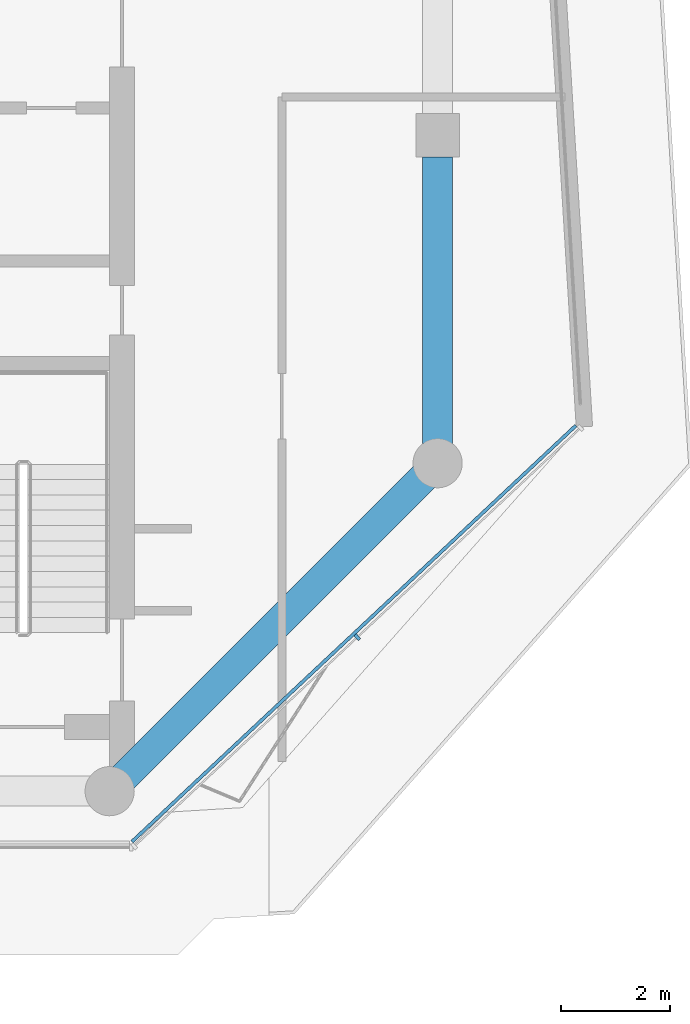
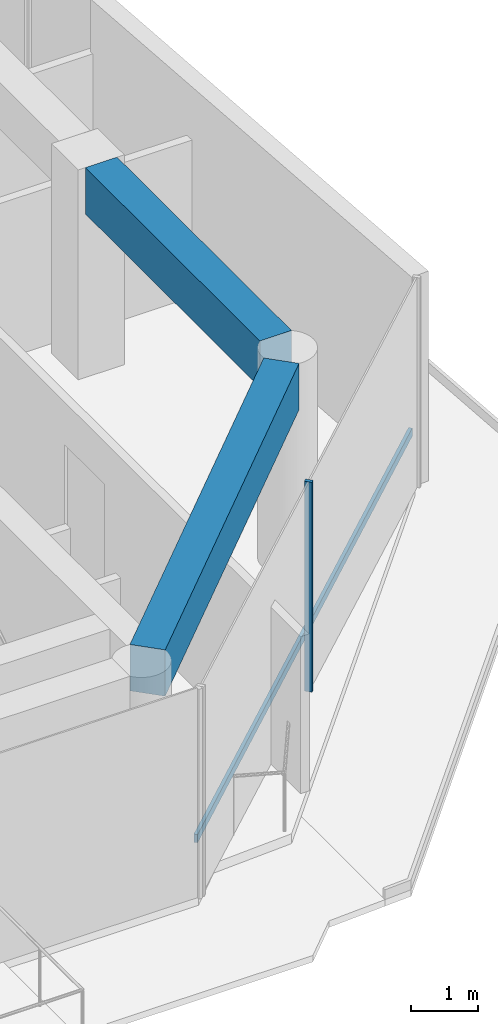
# One storey, part 3 of 21: 2 beams, 2 members, 1 element without a shape of its own.
"""IFC4 building model written with IfcOpenShell, lengths in metres."""

from ifc_helpers import new_model, si_unit, direction, frame, origin, origin_2d, place, context, subcontext, project, spatial, rectangle, extrude, material, layer, layer_set, material_profile, profile_set, type_object, element, aggregate, save


model = new_model("IFC4")

# Units and contexts
model_context = context("Model", 3, precision=1e-05, world=origin(), true_north=direction((0.0, 1.0)))
body_context = subcontext(model_context, "Body", "Model", "MODEL_VIEW")
ifc_project = project(units=[si_unit("LENGTHUNIT", "METRE"), si_unit("AREAUNIT", "SQUARE_METRE"), si_unit("VOLUMEUNIT", "CUBIC_METRE"), si_unit("PLANEANGLEUNIT", "RADIAN"), si_unit("MASSUNIT", "GRAM", prefix="KILO")], contexts=[model_context])

# Site, building, storey
site_placement = place(None, origin())
site = spatial("IfcSite", under=ifc_project, at=site_placement, CompositionType="ELEMENT")
building_placement = place(site_placement, origin())
building = spatial("IfcBuilding", under=site, at=building_placement, Name="Welwitschia Terrace Campus", CompositionType="ELEMENT")
storey_placement = place(building_placement, frame((0.0, 0.0, 213.800048828125)))
storey = spatial("IfcBuildingStorey", under=building, at=storey_placement, Name="L47", CompositionType="ELEMENT", Elevation=213.800048828125)

# Curtain wall, member
ifc_material_1 = material(Name="Bronze anodised aluminium", Category="aluminium")
ifc_layer = layer(ifc_material_1, 0.1201171875)
ifc_layer_set = layer_set([ifc_layer], Name="Bronze anodised aluminium")
curtain_wall_type = type_object("IfcCurtainWallType", Name="Curtain wall CW2 tower 6000", PredefinedType="NOTDEFINED", material=ifc_layer_set)
curtain_wall_placement = place(storey_placement, origin())
curtain_wall = element("IfcCurtainWall", 1, at=curtain_wall_placement, inside=storey, type_object=curtain_wall_type, Name="CW L47.2.0", PredefinedType="NOTDEFINED")
ifc_material_2 = material(Name="Bronze anodised aluminium", Category="aluminium")
ifc_material_profile_1 = material_profile(ifc_material_2, rectangle(XDim=0.1201171875, YDim=0.06005859375, at=origin_2d()))
ifc_profile_set_1 = profile_set([ifc_material_profile_1], Name="Bronze anodised aluminium")
member_type_1 = type_object("IfcMemberType", Name="Mullion 60x120", PredefinedType="MULLION", material=ifc_profile_set_1)
member_1_placement = place(storey_placement, frame((28.531005859375, 6.8173828125, 0.0), z_axis=(0.0, 0.0, 1.0), x_axis=(-0.68390177044, 0.729574100684, 0.0)))
member_1 = element("IfcMember", 2, at=member_1_placement, type_object=member_type_1, Name="Mullion L47.2.0.1", PredefinedType="MULLION", context=body_context, shape_type="SweptSolid", body=[
    extrude(rectangle(XDim=0.1201171875, YDim=0.06005859375, at=origin_2d()), origin(), (0.0, 0.0, 1.0), 3.849853515625),
])

# Beams
ifc_material_3 = material(Name="Concrete C50/60", Category="concrete")
ifc_material_profile_2 = material_profile(ifc_material_3, rectangle(XDim=0.550048828125, YDim=0.85009765625, at=origin_2d()))
ifc_profile_set_2 = profile_set([ifc_material_profile_2], Name="Concrete C50/60")
beam_type = type_object("IfcBeamType", Name="Ring spandrel 550x850", PredefinedType="SPANDREL", material=ifc_profile_set_2)
beam_1_placement = place(storey_placement, frame((24.25244140625, 4.25244140625, 3.425048828125), z_axis=(0.707106781187, 0.707106781187, 0.0), x_axis=(-0.707106781187, 0.707106781187, 0.0)))
element("IfcBeam", 3, at=beam_1_placement, inside=storey, type_object=beam_type, Name="Spandrel SP3", PredefinedType="SPANDREL", context=body_context, shape_type="SweptSolid", body=[
    extrude(rectangle(XDim=0.550048828125, YDim=0.85009765625, at=origin_2d()), origin(), (0.0, 0.0, 1.0), 7.771240234375),
])
beam_2_placement = place(storey_placement, frame((30.0, 10.35693359375, 3.425048828125), z_axis=(0.0, 1.0, 0.0), x_axis=(-1.0, 0.0, 0.0)))
element("IfcBeam", 4, at=beam_2_placement, inside=storey, type_object=beam_type, Name="Spandrel SP3", PredefinedType="SPANDREL", context=body_context, shape_type="SweptSolid", body=[
    extrude(rectangle(XDim=0.550048828125, YDim=0.85009765625, at=origin_2d()), origin(), (0.0, 0.0, 1.0), 5.24267578125),
])

# Member
ifc_material_4 = material(Name="Bronze anodised aluminium", Category="aluminium")
ifc_material_profile_3 = material_profile(ifc_material_4, rectangle(XDim=0.06005859375, YDim=0.14990234375, at=origin_2d()))
ifc_profile_set_3 = profile_set([ifc_material_profile_3], Name="Bronze anodised aluminium")
member_type_2 = type_object("IfcMemberType", Name="Transom 60x150", PredefinedType="USERDEFINED", material=ifc_profile_set_3)
member_2_placement = place(storey_placement, frame((24.408935546875, 3.07666015625, 1.0), z_axis=(0.72957071896, 0.683905377984, 0.0), x_axis=(-0.683905377984, 0.72957071896, 0.0)))
member_2 = element("IfcMember", 5, at=member_2_placement, type_object=member_type_2, Name="Transom L47.2.0", ObjectType="TRANSOM", PredefinedType="USERDEFINED", context=body_context, shape_type="SweptSolid", body=[
    extrude(rectangle(XDim=0.06005859375, YDim=0.14990234375, at=origin_2d()), origin(), (0.0, 0.0, 1.0), 11.131103515625),
])

aggregate(curtain_wall, [member_1, member_2])

save(model, "model.ifc")
